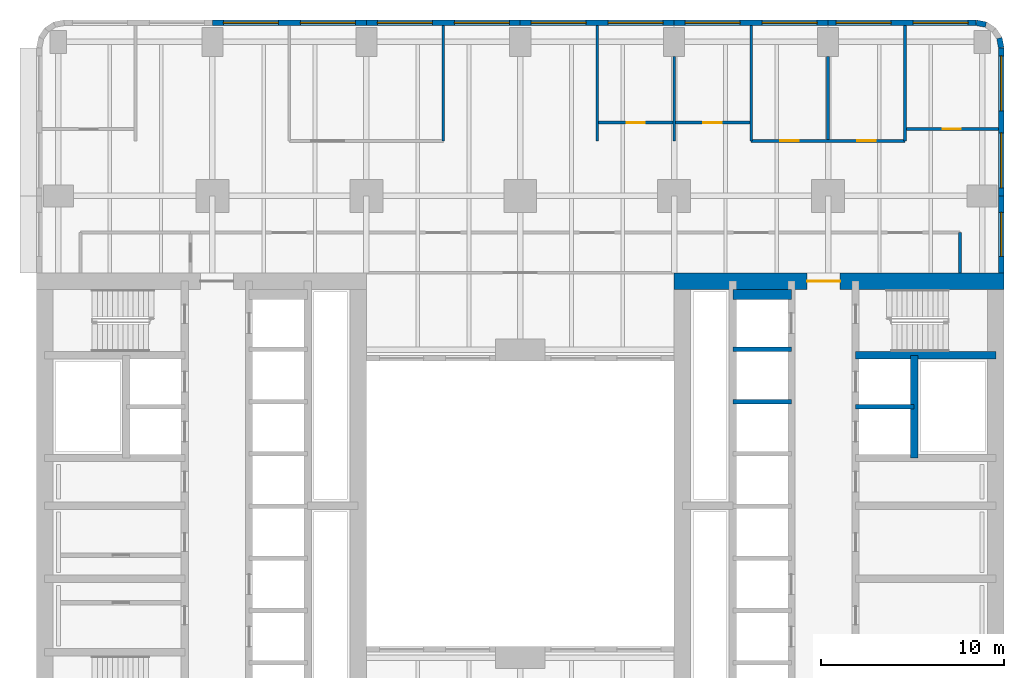
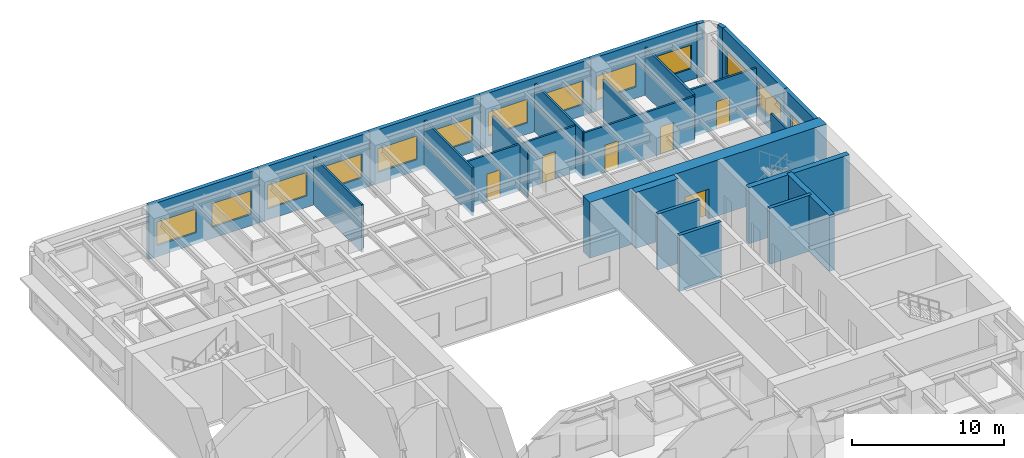
# One storey, part 7 of 14: 27 walls, 13 windows, 6 doors, 19 openings.
"""IFC4 building model written with IfcOpenShell, lengths in metres."""

import ifcopenshell
import ifcopenshell.guid

model = None  # the IFC model being written
_history = None  # IfcOwnerHistory: only IFC2X3 demands one
_inside = {}  # id of a spatial element -> (the spatial element, [elements in it])
_under = {}  # id of a project, library or spatial element -> (it, [spatial elements below it])
_declared = {}  # id of a project -> (the project, [libraries it declares])
_typed = {}  # id of a type object -> (the type object, [elements of that type])
_made_of = {}  # id of a material, layer set ... -> (it, [elements and type objects made of it])


def new_model(schema):
    """Start an empty IFC model of exactly this schema.

    Asked for "IFC4X3", IfcOpenShell would pick the latest addendum, in which some entities
    have other attributes; the version numbers below select the first issue.
    IFC2X3 requires an IfcOwnerHistory on every rooted entity: one is made here for all.
    """
    global model, _history
    if schema == "IFC4X3":
        model = ifcopenshell.file(schema_version=(4, 3, 0, 0))
    else:
        model = ifcopenshell.file(schema=schema)
    _inside.clear()
    _under.clear()
    _declared.clear()
    _typed.clear()
    _made_of.clear()
    _history = None
    if model.schema == "IFC2X3":
        org = make("IfcOrganization", Name="unknown")
        user = make(
            "IfcPersonAndOrganization",
            ThePerson=make("IfcPerson", FamilyName="unknown"),
            TheOrganization=org,
        )
        app = make(
            "IfcApplication",
            ApplicationDeveloper=org,
            Version="unknown",
            ApplicationFullName="unknown",
            ApplicationIdentifier="unknown",
        )
        _history = make(
            "IfcOwnerHistory",
            OwningUser=user,
            OwningApplication=app,
            ChangeAction="ADDED",
            CreationDate=0,
        )
    return model


def make(cls, **values):
    """One entity of the class cls with the attributes given. An attribute that is None is left unset."""
    return model.create_entity(
        cls, **{name: value for name, value in values.items() if value is not None}
    )


def rooted(cls, **values):
    """An entity with a GlobalId (a new one), such as an element, a storey or a relation."""
    return make(cls, GlobalId=ifcopenshell.guid.new(), OwnerHistory=_history, **values)


def si_unit(unit_type, name, prefix=None):
    """IfcSIUnit, for example si_unit("LENGTHUNIT", "METRE", prefix="MILLI")."""
    return make("IfcSIUnit", UnitType=unit_type, Prefix=prefix, Name=name)


def assignment(units):
    """IfcUnitAssignment: the units of a project."""
    return None if units is None else make("IfcUnitAssignment", Units=units)


def point(xyz):
    """IfcCartesianPoint."""
    return None if xyz is None else make("IfcCartesianPoint", Coordinates=xyz)


def direction(xyz):
    """IfcDirection."""
    return None if xyz is None else make("IfcDirection", DirectionRatios=xyz)


def frame(location, z_axis=None, x_axis=None):
    """IfcAxis2Placement3D, a coordinate frame: its origin and axes. An axis left out is left unset."""
    return make(
        "IfcAxis2Placement3D",
        Location=point(location),
        Axis=direction(z_axis),
        RefDirection=direction(x_axis),
    )


def frame_2d(location, x_axis=None):
    """IfcAxis2Placement2D, a coordinate frame in the plane: its origin and x axis."""
    return make(
        "IfcAxis2Placement2D", Location=point(location), RefDirection=direction(x_axis)
    )


def origin():
    """The frame at (0, 0, 0) with its axes left unset."""
    return frame((0.0, 0.0, 0.0))


def place(relative_to, where):
    """IfcLocalPlacement: puts the frame where relative to a parent placement (None: the world)."""
    return make(
        "IfcLocalPlacement", PlacementRelTo=relative_to, RelativePlacement=where
    )


def context(
    kind, dimensions, precision=None, world=None, true_north=None, identifier=None
):
    """IfcGeometricRepresentationContext, for example the 3D "Model" context."""
    return make(
        "IfcGeometricRepresentationContext",
        ContextIdentifier=identifier,
        ContextType=kind,
        CoordinateSpaceDimension=dimensions,
        Precision=precision,
        WorldCoordinateSystem=world,
        TrueNorth=true_north,
    )


def subcontext(parent, identifier, kind, view, scale=None):
    """IfcGeometricRepresentationSubContext, for example "Body" below "Model"."""
    return make(
        "IfcGeometricRepresentationSubContext",
        ContextIdentifier=identifier,
        ContextType=kind,
        ParentContext=parent,
        TargetScale=scale,
        TargetView=view,
    )


def project(units=None, contexts=None):
    """IfcProject with its units and contexts."""
    return rooted(
        "IfcProject",
        Name="project",
        RepresentationContexts=contexts,
        UnitsInContext=assignment(units),
    )


def spatial(cls, under=None, at=None, **own):
    """A site, building, storey or space (cls), placed at a placement, below another one or the project."""
    s = rooted(cls, ObjectPlacement=at, **own)
    if under is not None:
        _under.setdefault(under.id(), (under, []))[1].append(s)
    return s


def profile(cls, at=None, kind="AREA", **sizes):
    """A parametric profile (cls). Its sizes go by their IFC names, for example OverallWidth=200.0."""
    return make(cls, ProfileType=kind, Position=at, **sizes)


def rectangle(**sizes):
    """IfcRectangleProfileDef."""
    return profile("IfcRectangleProfileDef", **sizes)


def extrude(swept, where, along, depth):
    """IfcExtrudedAreaSolid: the profile swept, set in the frame where, extruded along a direction by depth."""
    return make(
        "IfcExtrudedAreaSolid",
        SweptArea=swept,
        Position=where,
        ExtrudedDirection=direction(along),
        Depth=depth,
    )


def shape(context_of_items, identifier, shape_type, items):
    """IfcShapeRepresentation: the items that make up one representation, for example the "Body"."""
    return make(
        "IfcShapeRepresentation",
        ContextOfItems=context_of_items,
        RepresentationIdentifier=identifier,
        RepresentationType=shape_type,
        Items=items,
    )


def material(Name=None, Category=None):
    """IfcMaterial."""
    return make("IfcMaterial", Name=Name, Category=Category)


def layer(
    of_material, thickness, ventilated=None, Name=None, Category=None, Priority=None
):
    """IfcMaterialLayer: one layer of a wall or slab, of a material (None: an air gap)."""
    return make(
        "IfcMaterialLayer",
        Material=of_material,
        LayerThickness=thickness,
        IsVentilated=ventilated,
        Name=Name,
        Category=Category,
        Priority=Priority,
    )


def layer_set(layers, Name=None):
    """IfcMaterialLayerSet."""
    return make("IfcMaterialLayerSet", MaterialLayers=layers, LayerSetName=Name)


def made_of(thing, what):
    """Note that an element or type object is made of a material, layer set ...; save() writes the relation."""
    if what is not None:
        _made_of.setdefault(what.id(), (what, []))[1].append(thing)
    return thing


def type_object(cls, material=None, **own):
    """A type object (cls), such as IfcWallType, which elements share."""
    return made_of(rooted(cls, **own), material)


def element(
    cls,
    number,
    at=None,
    inside=None,
    cuts=None,
    type_object=None,
    material=None,
    context=None,
    identifier="Body",
    shape_type=None,
    held_by="IfcProductDefinitionShape",
    body=None,
    shapes=None,
    **own,
):
    """One element of the class cls, such as IfcWall. Its Tag is "e" and its number.

    at: its placement. inside: the storey or other place that contains it. cuts: it is an
    opening in that element (IfcRelVoidsElement). A single representation is given by context,
    identifier, shape_type and body (its items); several are given by shapes. held_by: the class
    of the entity that holds the representations. save() writes the other relations.
    """
    e = rooted(cls, Tag="e%d" % number, ObjectPlacement=at, **own)
    if body is not None:
        shapes = [shape(context, identifier, shape_type, body)]
    if shapes is not None:
        e.Representation = make(held_by, Representations=shapes)
    if inside is not None:
        _inside.setdefault(inside.id(), (inside, []))[1].append(e)
    if cuts is not None:
        rooted(
            "IfcRelVoidsElement", RelatingBuildingElement=cuts, RelatedOpeningElement=e
        )
    if type_object is not None:
        _typed.setdefault(type_object.id(), (type_object, []))[1].append(e)
    return made_of(e, material)


def fill(opening, filler):
    """IfcRelFillsElement: the door or window that sits in an opening."""
    return rooted(
        "IfcRelFillsElement",
        RelatingOpeningElement=opening,
        RelatedBuildingElement=filler,
    )


def aggregate(whole, parts):
    """IfcRelAggregates: a whole, such as a stair, and the parts it consists of."""
    return rooted("IfcRelAggregates", RelatingObject=whole, RelatedObjects=parts)


def save(model, path):
    """Write the relations noted so far, then the file.

    IfcRelAggregates (storeys below a building ...), IfcRelContainedInSpatialStructure (elements
    in a storey), IfcRelDefinesByType, IfcRelAssociatesMaterial and IfcRelDeclares: one each for
    every whole, place, type object, material and project.
    """
    for whole, parts in _under.values():
        aggregate(whole, parts)
    for where, things in _inside.values():
        rooted(
            "IfcRelContainedInSpatialStructure",
            RelatedElements=things,
            RelatingStructure=where,
        )
    for kind, things in _typed.values():
        rooted("IfcRelDefinesByType", RelatedObjects=things, RelatingType=kind)
    for what, things in _made_of.values():
        rooted("IfcRelAssociatesMaterial", RelatedObjects=things, RelatingMaterial=what)
    for by, libraries in _declared.values():
        rooted("IfcRelDeclares", RelatingContext=by, RelatedDefinitions=libraries)
    model.write(path)


model = new_model("IFC4")

# Units and contexts
model_context = context("Model", 3, precision=1e-05, world=origin(), true_north=direction((0.0, 1.0)))
body_context = subcontext(model_context, "Body", "Model", "MODEL_VIEW")
ifc_project = project(units=[si_unit("LENGTHUNIT", "METRE"), si_unit("AREAUNIT", "SQUARE_METRE"), si_unit("VOLUMEUNIT", "CUBIC_METRE"), si_unit("PLANEANGLEUNIT", "RADIAN"), si_unit("MASSUNIT", "GRAM", prefix="KILO")], contexts=[model_context])

# Site, building, storey
site_placement = place(None, origin())
site = spatial("IfcSite", under=ifc_project, at=site_placement, CompositionType="ELEMENT")
building_placement = place(site_placement, origin())
building = spatial("IfcBuilding", under=site, at=building_placement, Name="Claustro Exchange Tower", CompositionType="ELEMENT")
storey_placement = place(building_placement, frame((0.0, 0.0, 32.39990234375)))
storey = spatial("IfcBuildingStorey", under=building, at=storey_placement, Name="L07", CompositionType="ELEMENT", Elevation=32.39990234375)

# Wall
ifc_material_1 = material(Name="Gypsum board on steel studs", Category="steel")
ifc_layer_1 = layer(ifc_material_1, 0.14990234375)
ifc_layer_set_1 = layer_set([ifc_layer_1], Name="Gypsum board on steel studs")
wall_type_1 = type_object("IfcWallType", Name="P1 150 plasterboard partition", PredefinedType="PARTITIONING", material=ifc_layer_set_1)
wall_1_placement = place(storey_placement, frame((21.0, 45.0, 0.0), z_axis=(0.0, 0.0, 1.0), x_axis=(0.0, 1.0, 0.0)))
element("IfcWall", 1, at=wall_1_placement, inside=storey, type_object=wall_type_1, Name="Partition P1 L07", PredefinedType="PARTITIONING", context=body_context, shape_type="SweptSolid", body=[
    extrude(rectangle(XDim=6.302001953125, YDim=0.14990234375, at=frame_2d((3.15087890625, 0.0))), origin(), (0.0, 0.0, 1.0), 3.840087890625),
])

# Wall, opening, door
wall_2_placement = place(storey_placement, frame((29.47412109375, 46.0, 0.0), z_axis=(0.0, 0.0, 1.0), x_axis=(1.0, 0.0, 0.0)))
wall_2 = element("IfcWall", 2, at=wall_2_placement, inside=storey, type_object=wall_type_1, Name="Partition P1 L07", PredefinedType="PARTITIONING", context=body_context, shape_type="SweptSolid", body=[
    extrude(rectangle(XDim=4.0517578125, YDim=0.14990234375, at=frame_2d((2.02587890625, 0.0))), origin(), (0.0, 0.0, 1.0), 3.739990234375),
])
opening_1_placement = place(wall_2_placement, frame((1.52587890625, 0.0, 0.0)))
opening_1 = element("IfcOpeningElement", 3, at=opening_1_placement, cuts=wall_2, Name="Opening D1", PredefinedType="OPENING", context=body_context, shape_type="SweptSolid", body=[
    extrude(rectangle(XDim=1.0, YDim=2.199951171875, at=frame_2d((0.5, 1.10009765625))), frame((0.0, 0.0849609375, 0.0), z_axis=(0.0, -1.0, 0.0), x_axis=(1.0, 0.0, 0.0)), (0.0, 0.0, 1.0), 0.169921875),
])
ifc_material_2 = material(Name="Timber door, oak veneer", Category="wood")
door_type_1 = type_object("IfcDoorType", Name="D1 1000 x 2200 single door", OperationType="SINGLE_SWING_LEFT", PredefinedType="DOOR", material=ifc_material_2)
door_1_placement = place(opening_1_placement, origin())
door_1 = element("IfcDoor", 4, at=door_1_placement, inside=storey, type_object=door_type_1, Name="Door D1 L07", OperationType="SINGLE_SWING_RIGHT", OverallHeight=2.199951171875, OverallWidth=1.0, PredefinedType="DOOR", context=body_context, shape_type="SweptSolid", body=[
    extrude(rectangle(XDim=1.0, YDim=2.199951171875, at=frame_2d((0.5, 1.10009765625))), frame((0.0, 0.02490234375, 0.0), z_axis=(0.0, -1.0, 0.0), x_axis=(1.0, 0.0, 0.0)), (0.0, 0.0, 1.0), 0.050048828125),
])
fill(opening_1, door_1)

wall_3_placement = place(storey_placement, frame((33.674072265625, 46.0, 0.0), z_axis=(0.0, 0.0, 1.0), x_axis=(1.0, 0.0, 0.0)))
wall_3 = element("IfcWall", 5, at=wall_3_placement, inside=storey, type_object=wall_type_1, Name="Partition P1 L07", PredefinedType="PARTITIONING", context=body_context, shape_type="SweptSolid", body=[
    extrude(rectangle(XDim=4.052001953125, YDim=0.14990234375, at=frame_2d((2.02587890625, 0.0))), origin(), (0.0, 0.0, 1.0), 3.739990234375),
])
opening_2_placement = place(wall_3_placement, frame((1.52587890625, 0.0, 0.0)))
opening_2 = element("IfcOpeningElement", 6, at=opening_2_placement, cuts=wall_3, Name="Opening D1", PredefinedType="OPENING", context=body_context, shape_type="SweptSolid", body=[
    extrude(rectangle(XDim=1.0, YDim=2.199951171875, at=frame_2d((0.5, 1.10009765625))), frame((0.0, 0.0849609375, 0.0), z_axis=(0.0, -1.0, 0.0), x_axis=(1.0, 0.0, 0.0)), (0.0, 0.0, 1.0), 0.169921875),
])
door_2_placement = place(opening_2_placement, origin())
door_2 = element("IfcDoor", 7, at=door_2_placement, inside=storey, type_object=door_type_1, Name="Door D1 L07", OperationType="SINGLE_SWING_RIGHT", OverallHeight=2.199951171875, OverallWidth=1.0, PredefinedType="DOOR", context=body_context, shape_type="SweptSolid", body=[
    extrude(rectangle(XDim=1.0, YDim=2.199951171875, at=frame_2d((0.5, 1.10009765625))), frame((0.0, 0.02490234375, 0.0), z_axis=(0.0, -1.0, 0.0), x_axis=(1.0, 0.0, 0.0)), (0.0, 0.0, 1.0), 0.050048828125),
])
fill(opening_2, door_2)

wall_4_placement = place(storey_placement, frame((46.27392578125, 45.64990234375, 0.0), z_axis=(0.0, 0.0, 1.0), x_axis=(1.0, 0.0, 0.0)))
wall_4 = element("IfcWall", 8, at=wall_4_placement, inside=storey, type_object=wall_type_1, Name="Partition P1 L07", PredefinedType="PARTITIONING", context=body_context, shape_type="SweptSolid", body=[
    extrude(rectangle(XDim=5.028076171875, YDim=0.14990234375, at=frame_2d((2.51416015625, 0.0))), origin(), (0.0, 0.0, 1.0), 3.840087890625),
])
opening_3_placement = place(wall_4_placement, frame((1.97607421875, 0.0, 0.0)))
opening_3 = element("IfcOpeningElement", 9, at=opening_3_placement, cuts=wall_4, Name="Opening D1", PredefinedType="OPENING", context=body_context, shape_type="SweptSolid", body=[
    extrude(rectangle(XDim=1.0, YDim=2.199951171875, at=frame_2d((0.5, 1.10009765625))), frame((0.0, 0.0849609375, 0.0), z_axis=(0.0, -1.0, 0.0), x_axis=(1.0, 0.0, 0.0)), (0.0, 0.0, 1.0), 0.169921875),
])
door_3_placement = place(opening_3_placement, origin())
door_3 = element("IfcDoor", 10, at=door_3_placement, inside=storey, type_object=door_type_1, Name="Door D1 L07", OperationType="SINGLE_SWING_LEFT", OverallHeight=2.199951171875, OverallWidth=1.0, PredefinedType="DOOR", context=body_context, shape_type="SweptSolid", body=[
    extrude(rectangle(XDim=1.0, YDim=2.199951171875, at=frame_2d((0.5, 1.10009765625))), frame((0.0, 0.02490234375, 0.0), z_axis=(0.0, -1.0, 0.0), x_axis=(1.0, 0.0, 0.0)), (0.0, 0.0, 1.0), 0.050048828125),
])
fill(opening_3, door_3)

# Wall, openings, doors
wall_5_placement = place(storey_placement, frame((37.800048828125, 45.0, 0.0), z_axis=(0.0, 0.0, 1.0), x_axis=(1.0, 0.0, 0.0)))
wall_5 = element("IfcWall", 11, at=wall_5_placement, inside=storey, type_object=wall_type_1, Name="Partition P1 L07", PredefinedType="PARTITIONING", context=body_context, shape_type="SweptSolid", body=[
    extrude(rectangle(XDim=8.39990234375, YDim=0.14990234375, at=frame_2d((4.199951171875, 0.0))), origin(), (0.0, 0.0, 1.0), 3.739990234375),
])
opening_4_placement = place(wall_5_placement, frame((1.60009765625, 0.0, 0.0)))
opening_4 = element("IfcOpeningElement", 12, at=opening_4_placement, cuts=wall_5, Name="Opening D1", PredefinedType="OPENING", context=body_context, shape_type="SweptSolid", body=[
    extrude(rectangle(XDim=1.0, YDim=2.199951171875, at=frame_2d((0.5, 1.10009765625))), frame((0.0, 0.0849609375, 0.0), z_axis=(0.0, -1.0, 0.0), x_axis=(1.0, 0.0, 0.0)), (0.0, 0.0, 1.0), 0.169921875),
])
opening_5_placement = place(wall_5_placement, frame((5.800048828125, 0.0, 0.0)))
opening_5 = element("IfcOpeningElement", 13, at=opening_5_placement, cuts=wall_5, Name="Opening D1", PredefinedType="OPENING", context=body_context, shape_type="SweptSolid", body=[
    extrude(rectangle(XDim=1.0, YDim=2.199951171875, at=frame_2d((0.5, 1.10009765625))), frame((0.0, 0.0849609375, 0.0), z_axis=(0.0, -1.0, 0.0), x_axis=(1.0, 0.0, 0.0)), (0.0, 0.0, 1.0), 0.169921875),
])
door_4_placement = place(opening_4_placement, origin())
door_4 = element("IfcDoor", 14, at=door_4_placement, inside=storey, type_object=door_type_1, Name="Door D1 L07", OperationType="SINGLE_SWING_LEFT", OverallHeight=2.199951171875, OverallWidth=1.0, PredefinedType="DOOR", context=body_context, shape_type="SweptSolid", body=[
    extrude(rectangle(XDim=1.0, YDim=2.199951171875, at=frame_2d((0.5, 1.10009765625))), frame((0.0, 0.02490234375, 0.0), z_axis=(0.0, -1.0, 0.0), x_axis=(1.0, 0.0, 0.0)), (0.0, 0.0, 1.0), 0.050048828125),
])
fill(opening_4, door_4)
door_5_placement = place(opening_5_placement, origin())
door_5 = element("IfcDoor", 15, at=door_5_placement, inside=storey, type_object=door_type_1, Name="Door D1 L07", OperationType="SINGLE_SWING_LEFT", OverallHeight=2.199951171875, OverallWidth=1.0, PredefinedType="DOOR", context=body_context, shape_type="SweptSolid", body=[
    extrude(rectangle(XDim=1.0, YDim=2.199951171875, at=frame_2d((0.5, 1.10009765625))), frame((0.0, 0.02490234375, 0.0), z_axis=(0.0, -1.0, 0.0), x_axis=(1.0, 0.0, 0.0)), (0.0, 0.0, 1.0), 0.050048828125),
])
fill(opening_5, door_5)

# Walls
wall_6_placement = place(storey_placement, frame((29.39990234375, 45.0, 0.0), z_axis=(0.0, 0.0, 1.0), x_axis=(0.0, 1.0, 0.0)))
element("IfcWall", 16, at=wall_6_placement, inside=storey, type_object=wall_type_1, Name="Partition P1 L07", PredefinedType="PARTITIONING", context=body_context, shape_type="SweptSolid", body=[
    extrude(rectangle(XDim=6.302001953125, YDim=0.14990234375, at=frame_2d((3.15087890625, 0.0))), origin(), (0.0, 0.0, 1.0), 3.840087890625),
])
wall_7_placement = place(storey_placement, frame((33.60009765625, 45.0, 0.0), z_axis=(0.0, 0.0, 1.0), x_axis=(0.0, 1.0, 0.0)))
element("IfcWall", 17, at=wall_7_placement, inside=storey, type_object=wall_type_1, Name="Partition P1 L07", PredefinedType="PARTITIONING", context=body_context, shape_type="SweptSolid", body=[
    extrude(rectangle(XDim=4.60107421875, YDim=0.14990234375, at=frame_2d((2.300537109375, 0.0))), origin(), (0.0, 0.0, 1.0), 3.739990234375),
])
wall_8_placement = place(storey_placement, frame((37.800048828125, 45.0, 0.0), z_axis=(0.0, 0.0, 1.0), x_axis=(0.0, 1.0, 0.0)))
element("IfcWall", 18, at=wall_8_placement, inside=storey, type_object=wall_type_1, Name="Partition P1 L07", PredefinedType="PARTITIONING", context=body_context, shape_type="SweptSolid", body=[
    extrude(rectangle(XDim=6.302001953125, YDim=0.14990234375, at=frame_2d((3.15087890625, 0.0))), origin(), (0.0, 0.0, 1.0), 3.840087890625),
])
wall_9_placement = place(storey_placement, frame((42.0, 45.073974609375, 0.0), z_axis=(0.0, 0.0, 1.0), x_axis=(0.0, 1.0, 0.0)))
element("IfcWall", 19, at=wall_9_placement, inside=storey, type_object=wall_type_1, Name="Partition P1 L07", PredefinedType="PARTITIONING", context=body_context, shape_type="SweptSolid", body=[
    extrude(rectangle(XDim=4.527099609375, YDim=0.14990234375, at=frame_2d((2.263671875, 0.0))), origin(), (0.0, 0.0, 1.0), 3.739990234375),
])
wall_10_placement = place(storey_placement, frame((46.199951171875, 45.0, 0.0), z_axis=(0.0, 0.0, 1.0), x_axis=(0.0, 1.0, 0.0)))
element("IfcWall", 20, at=wall_10_placement, inside=storey, type_object=wall_type_1, Name="Partition P1 L07", PredefinedType="PARTITIONING", context=body_context, shape_type="SweptSolid", body=[
    extrude(rectangle(XDim=6.302001953125, YDim=0.14990234375, at=frame_2d((3.15087890625, 0.0))), origin(), (0.0, 0.0, 1.0), 3.840087890625),
])
wall_11_placement = place(storey_placement, frame((49.199951171875, 37.800048828125, 0.0), z_axis=(0.0, 0.0, 1.0), x_axis=(0.0, 1.0, 0.0)))
element("IfcWall", 21, at=wall_11_placement, inside=storey, type_object=wall_type_1, Name="Partition P1 L07", PredefinedType="PARTITIONING", context=body_context, shape_type="SweptSolid", body=[
    extrude(rectangle(XDim=2.199951171875, YDim=0.14990234375, at=frame_2d((1.10009765625, 0.0))), origin(), (0.0, 0.0, 1.0), 4.340087890625),
])

# Wall, openings, windows
ifc_material_3 = material(Name="Concrete HA-40 (C40/50), precast, white cement, acid-etched", Category="concrete")
ifc_layer_2 = layer(ifc_material_3, 0.300048828125)
ifc_layer_set_2 = layer_set([ifc_layer_2], Name="Concrete HA-40 (C40/50), precast, white cement, acid-etched")
wall_type_2 = type_object("IfcWallType", Name="PC1 300 precast concrete pier panel", PredefinedType="SOLIDWALL", material=ifc_layer_set_2)
wall_12_placement = place(storey_placement, frame((8.39990234375, 51.449951171875, 0.0), z_axis=(0.0, 0.0, 1.0), x_axis=(1.0, 0.0, 0.0)))
wall_12 = element("IfcWall", 22, at=wall_12_placement, inside=storey, type_object=wall_type_2, Name="Precast pier panel PC1 L07", PredefinedType="SOLIDWALL", context=body_context, shape_type="SweptSolid", body=[
    extrude(rectangle(XDim=8.400146484375, YDim=0.300048828125, at=frame_2d((4.2001953125, 0.0))), origin(), (0.0, 0.0, 1.0), 4.340087890625),
])
opening_6_placement = place(wall_12_placement, frame((0.60009765625, 0.0, 0.89990234375)))
opening_6 = element("IfcOpeningElement", 23, at=opening_6_placement, cuts=wall_12, Name="Opening W1", PredefinedType="OPENING", context=body_context, shape_type="SweptSolid", body=[
    extrude(rectangle(XDim=3.0, YDim=1.89990234375, at=frame_2d((1.5, 0.949951171875))), frame((0.0, 0.159912109375, 0.0), z_axis=(0.0, -1.0, 0.0), x_axis=(1.0, 0.0, 0.0)), (0.0, 0.0, 1.0), 0.320068359375),
])
opening_7_placement = place(wall_12_placement, frame((4.800048828125, 0.0, 0.89990234375)))
opening_7 = element("IfcOpeningElement", 24, at=opening_7_placement, cuts=wall_12, Name="Opening W1", PredefinedType="OPENING", context=body_context, shape_type="SweptSolid", body=[
    extrude(rectangle(XDim=3.0, YDim=1.89990234375, at=frame_2d((1.5, 0.949951171875))), frame((0.0, 0.159912109375, 0.0), z_axis=(0.0, -1.0, 0.0), x_axis=(1.0, 0.0, 0.0)), (0.0, 0.0, 1.0), 0.320068359375),
])
ifc_material_4 = material(Name="Aluminium frame, clear double glazing", Category="aluminium")
window_type_1 = type_object("IfcWindowType", Name="W1 3000 x 1900 window", PartitioningType="SINGLE_PANEL", PredefinedType="WINDOW", material=ifc_material_4)
window_1_placement = place(opening_6_placement, origin())
window_1 = element("IfcWindow", 25, at=window_1_placement, inside=storey, type_object=window_type_1, Name="Window W1 L07", OverallHeight=1.89990234375, OverallWidth=3.0, PartitioningType="SINGLE_PANEL", PredefinedType="WINDOW", context=body_context, shape_type="SweptSolid", body=[
    extrude(rectangle(XDim=3.0, YDim=1.89990234375, at=frame_2d((1.5, 0.949951171875))), frame((0.0, 0.030029296875, 0.0), z_axis=(0.0, -1.0, 0.0), x_axis=(1.0, 0.0, 0.0)), (0.0, 0.0, 1.0), 0.06005859375),
])
fill(opening_6, window_1)
window_2_placement = place(opening_7_placement, origin())
window_2 = element("IfcWindow", 26, at=window_2_placement, inside=storey, type_object=window_type_1, Name="Window W1 L07", OverallHeight=1.89990234375, OverallWidth=3.0, PartitioningType="SINGLE_PANEL", PredefinedType="WINDOW", context=body_context, shape_type="SweptSolid", body=[
    extrude(rectangle(XDim=3.0, YDim=1.89990234375, at=frame_2d((1.5, 0.949951171875))), frame((0.0, 0.030029296875, 0.0), z_axis=(0.0, -1.0, 0.0), x_axis=(1.0, 0.0, 0.0)), (0.0, 0.0, 1.0), 0.06005859375),
])
fill(opening_7, window_2)

wall_13_placement = place(storey_placement, frame((16.800048828125, 51.449951171875, 0.0), z_axis=(0.0, 0.0, 1.0), x_axis=(1.0, 0.0, 0.0)))
wall_13 = element("IfcWall", 27, at=wall_13_placement, inside=storey, type_object=wall_type_2, Name="Precast pier panel PC1 L07", PredefinedType="SOLIDWALL", context=body_context, shape_type="SweptSolid", body=[
    extrude(rectangle(XDim=8.39990234375, YDim=0.300048828125, at=frame_2d((4.199951171875, 0.0))), origin(), (0.0, 0.0, 1.0), 4.340087890625),
])
opening_8_placement = place(wall_13_placement, frame((0.60009765625, 0.0, 0.89990234375)))
opening_8 = element("IfcOpeningElement", 28, at=opening_8_placement, cuts=wall_13, Name="Opening W1", PredefinedType="OPENING", context=body_context, shape_type="SweptSolid", body=[
    extrude(rectangle(XDim=3.0, YDim=1.89990234375, at=frame_2d((1.5, 0.949951171875))), frame((0.0, 0.159912109375, 0.0), z_axis=(0.0, -1.0, 0.0), x_axis=(1.0, 0.0, 0.0)), (0.0, 0.0, 1.0), 0.320068359375),
])
opening_9_placement = place(wall_13_placement, frame((4.800048828125, 0.0, 0.89990234375)))
opening_9 = element("IfcOpeningElement", 29, at=opening_9_placement, cuts=wall_13, Name="Opening W1", PredefinedType="OPENING", context=body_context, shape_type="SweptSolid", body=[
    extrude(rectangle(XDim=3.0, YDim=1.89990234375, at=frame_2d((1.5, 0.949951171875))), frame((0.0, 0.159912109375, 0.0), z_axis=(0.0, -1.0, 0.0), x_axis=(1.0, 0.0, 0.0)), (0.0, 0.0, 1.0), 0.320068359375),
])
window_3_placement = place(opening_8_placement, origin())
window_3 = element("IfcWindow", 30, at=window_3_placement, inside=storey, type_object=window_type_1, Name="Window W1 L07", OverallHeight=1.89990234375, OverallWidth=3.0, PartitioningType="SINGLE_PANEL", PredefinedType="WINDOW", context=body_context, shape_type="SweptSolid", body=[
    extrude(rectangle(XDim=3.0, YDim=1.89990234375, at=frame_2d((1.5, 0.949951171875))), frame((0.0, 0.030029296875, 0.0), z_axis=(0.0, -1.0, 0.0), x_axis=(1.0, 0.0, 0.0)), (0.0, 0.0, 1.0), 0.06005859375),
])
fill(opening_8, window_3)
window_4_placement = place(opening_9_placement, origin())
window_4 = element("IfcWindow", 31, at=window_4_placement, inside=storey, type_object=window_type_1, Name="Window W1 L07", OverallHeight=1.89990234375, OverallWidth=3.0, PartitioningType="SINGLE_PANEL", PredefinedType="WINDOW", context=body_context, shape_type="SweptSolid", body=[
    extrude(rectangle(XDim=3.0, YDim=1.89990234375, at=frame_2d((1.5, 0.949951171875))), frame((0.0, 0.030029296875, 0.0), z_axis=(0.0, -1.0, 0.0), x_axis=(1.0, 0.0, 0.0)), (0.0, 0.0, 1.0), 0.06005859375),
])
fill(opening_9, window_4)

wall_14_placement = place(storey_placement, frame((25.199951171875, 51.449951171875, 0.0), z_axis=(0.0, 0.0, 1.0), x_axis=(1.0, 0.0, 0.0)))
wall_14 = element("IfcWall", 32, at=wall_14_placement, inside=storey, type_object=wall_type_2, Name="Precast pier panel PC1 L07", PredefinedType="SOLIDWALL", context=body_context, shape_type="SweptSolid", body=[
    extrude(rectangle(XDim=8.400146484375, YDim=0.300048828125, at=frame_2d((4.2001953125, 0.0))), origin(), (0.0, 0.0, 1.0), 4.340087890625),
])
opening_10_placement = place(wall_14_placement, frame((0.60009765625, 0.0, 0.89990234375)))
opening_10 = element("IfcOpeningElement", 33, at=opening_10_placement, cuts=wall_14, Name="Opening W1", PredefinedType="OPENING", context=body_context, shape_type="SweptSolid", body=[
    extrude(rectangle(XDim=3.0, YDim=1.89990234375, at=frame_2d((1.5, 0.949951171875))), frame((0.0, 0.159912109375, 0.0), z_axis=(0.0, -1.0, 0.0), x_axis=(1.0, 0.0, 0.0)), (0.0, 0.0, 1.0), 0.320068359375),
])
opening_11_placement = place(wall_14_placement, frame((4.800048828125, 0.0, 0.89990234375)))
opening_11 = element("IfcOpeningElement", 34, at=opening_11_placement, cuts=wall_14, Name="Opening W1", PredefinedType="OPENING", context=body_context, shape_type="SweptSolid", body=[
    extrude(rectangle(XDim=3.0, YDim=1.89990234375, at=frame_2d((1.5, 0.949951171875))), frame((0.0, 0.159912109375, 0.0), z_axis=(0.0, -1.0, 0.0), x_axis=(1.0, 0.0, 0.0)), (0.0, 0.0, 1.0), 0.320068359375),
])
window_5_placement = place(opening_10_placement, origin())
window_5 = element("IfcWindow", 35, at=window_5_placement, inside=storey, type_object=window_type_1, Name="Window W1 L07", OverallHeight=1.89990234375, OverallWidth=3.0, PartitioningType="SINGLE_PANEL", PredefinedType="WINDOW", context=body_context, shape_type="SweptSolid", body=[
    extrude(rectangle(XDim=3.0, YDim=1.89990234375, at=frame_2d((1.5, 0.949951171875))), frame((0.0, 0.030029296875, 0.0), z_axis=(0.0, -1.0, 0.0), x_axis=(1.0, 0.0, 0.0)), (0.0, 0.0, 1.0), 0.06005859375),
])
fill(opening_10, window_5)
window_6_placement = place(opening_11_placement, origin())
window_6 = element("IfcWindow", 36, at=window_6_placement, inside=storey, type_object=window_type_1, Name="Window W1 L07", OverallHeight=1.89990234375, OverallWidth=3.0, PartitioningType="SINGLE_PANEL", PredefinedType="WINDOW", context=body_context, shape_type="SweptSolid", body=[
    extrude(rectangle(XDim=3.0, YDim=1.89990234375, at=frame_2d((1.5, 0.949951171875))), frame((0.0, 0.030029296875, 0.0), z_axis=(0.0, -1.0, 0.0), x_axis=(1.0, 0.0, 0.0)), (0.0, 0.0, 1.0), 0.06005859375),
])
fill(opening_11, window_6)

wall_15_placement = place(storey_placement, frame((33.60009765625, 51.449951171875, 0.0), z_axis=(0.0, 0.0, 1.0), x_axis=(1.0, 0.0, 0.0)))
wall_15 = element("IfcWall", 37, at=wall_15_placement, inside=storey, type_object=wall_type_2, Name="Precast pier panel PC1 L07", PredefinedType="SOLIDWALL", context=body_context, shape_type="SweptSolid", body=[
    extrude(rectangle(XDim=8.39990234375, YDim=0.300048828125, at=frame_2d((4.199951171875, 0.0))), origin(), (0.0, 0.0, 1.0), 4.340087890625),
])
opening_12_placement = place(wall_15_placement, frame((0.60009765625, 0.0, 0.89990234375)))
opening_12 = element("IfcOpeningElement", 38, at=opening_12_placement, cuts=wall_15, Name="Opening W1", PredefinedType="OPENING", context=body_context, shape_type="SweptSolid", body=[
    extrude(rectangle(XDim=3.0, YDim=1.89990234375, at=frame_2d((1.5, 0.949951171875))), frame((0.0, 0.159912109375, 0.0), z_axis=(0.0, -1.0, 0.0), x_axis=(1.0, 0.0, 0.0)), (0.0, 0.0, 1.0), 0.320068359375),
])
opening_13_placement = place(wall_15_placement, frame((4.800048828125, 0.0, 0.89990234375)))
opening_13 = element("IfcOpeningElement", 39, at=opening_13_placement, cuts=wall_15, Name="Opening W1", PredefinedType="OPENING", context=body_context, shape_type="SweptSolid", body=[
    extrude(rectangle(XDim=3.0, YDim=1.89990234375, at=frame_2d((1.5, 0.949951171875))), frame((0.0, 0.159912109375, 0.0), z_axis=(0.0, -1.0, 0.0), x_axis=(1.0, 0.0, 0.0)), (0.0, 0.0, 1.0), 0.320068359375),
])
window_7_placement = place(opening_12_placement, origin())
window_7 = element("IfcWindow", 40, at=window_7_placement, inside=storey, type_object=window_type_1, Name="Window W1 L07", OverallHeight=1.89990234375, OverallWidth=3.0, PartitioningType="SINGLE_PANEL", PredefinedType="WINDOW", context=body_context, shape_type="SweptSolid", body=[
    extrude(rectangle(XDim=3.0, YDim=1.89990234375, at=frame_2d((1.5, 0.949951171875))), frame((0.0, 0.030029296875, 0.0), z_axis=(0.0, -1.0, 0.0), x_axis=(1.0, 0.0, 0.0)), (0.0, 0.0, 1.0), 0.06005859375),
])
fill(opening_12, window_7)
window_8_placement = place(opening_13_placement, origin())
window_8 = element("IfcWindow", 41, at=window_8_placement, inside=storey, type_object=window_type_1, Name="Window W1 L07", OverallHeight=1.89990234375, OverallWidth=3.0, PartitioningType="SINGLE_PANEL", PredefinedType="WINDOW", context=body_context, shape_type="SweptSolid", body=[
    extrude(rectangle(XDim=3.0, YDim=1.89990234375, at=frame_2d((1.5, 0.949951171875))), frame((0.0, 0.030029296875, 0.0), z_axis=(0.0, -1.0, 0.0), x_axis=(1.0, 0.0, 0.0)), (0.0, 0.0, 1.0), 0.06005859375),
])
fill(opening_13, window_8)

wall_16_placement = place(storey_placement, frame((42.0, 51.449951171875, 0.0), z_axis=(0.0, 0.0, 1.0), x_axis=(1.0, 0.0, 0.0)))
wall_16 = element("IfcWall", 42, at=wall_16_placement, inside=storey, type_object=wall_type_2, Name="Precast pier panel PC1 L07", PredefinedType="SOLIDWALL", context=body_context, shape_type="SweptSolid", body=[
    extrude(rectangle(XDim=8.085205078125, YDim=0.300048828125, at=frame_2d((4.04248046875, 0.0))), origin(), (0.0, 0.0, 1.0), 4.340087890625),
])
opening_14_placement = place(wall_16_placement, frame((0.442626953125, 0.0, 0.89990234375)))
opening_14 = element("IfcOpeningElement", 43, at=opening_14_placement, cuts=wall_16, Name="Opening W1", PredefinedType="OPENING", context=body_context, shape_type="SweptSolid", body=[
    extrude(rectangle(XDim=3.0, YDim=1.89990234375, at=frame_2d((1.5, 0.949951171875))), frame((0.0, 0.159912109375, 0.0), z_axis=(0.0, -1.0, 0.0), x_axis=(1.0, 0.0, 0.0)), (0.0, 0.0, 1.0), 0.320068359375),
])
opening_15_placement = place(wall_16_placement, frame((4.642578125, 0.0, 0.89990234375)))
opening_15 = element("IfcOpeningElement", 44, at=opening_15_placement, cuts=wall_16, Name="Opening W1", PredefinedType="OPENING", context=body_context, shape_type="SweptSolid", body=[
    extrude(rectangle(XDim=3.0, YDim=1.89990234375, at=frame_2d((1.5, 0.949951171875))), frame((0.0, 0.159912109375, 0.0), z_axis=(0.0, -1.0, 0.0), x_axis=(1.0, 0.0, 0.0)), (0.0, 0.0, 1.0), 0.320068359375),
])
window_9_placement = place(opening_14_placement, origin())
window_9 = element("IfcWindow", 45, at=window_9_placement, inside=storey, type_object=window_type_1, Name="Window W1 L07", OverallHeight=1.89990234375, OverallWidth=3.0, PartitioningType="SINGLE_PANEL", PredefinedType="WINDOW", context=body_context, shape_type="SweptSolid", body=[
    extrude(rectangle(XDim=3.0, YDim=1.89990234375, at=frame_2d((1.5, 0.949951171875))), frame((0.0, 0.030029296875, 0.0), z_axis=(0.0, -1.0, 0.0), x_axis=(1.0, 0.0, 0.0)), (0.0, 0.0, 1.0), 0.06005859375),
])
fill(opening_14, window_9)
window_10_placement = place(opening_15_placement, origin())
window_10 = element("IfcWindow", 46, at=window_10_placement, inside=storey, type_object=window_type_1, Name="Window W1 L07", OverallHeight=1.89990234375, OverallWidth=3.0, PartitioningType="SINGLE_PANEL", PredefinedType="WINDOW", context=body_context, shape_type="SweptSolid", body=[
    extrude(rectangle(XDim=3.0, YDim=1.89990234375, at=frame_2d((1.5, 0.949951171875))), frame((0.0, 0.030029296875, 0.0), z_axis=(0.0, -1.0, 0.0), x_axis=(1.0, 0.0, 0.0)), (0.0, 0.0, 1.0), 0.06005859375),
])
fill(opening_15, window_10)

# Walls
for number, where, z_axis, x_axis, name in (
    (47, (50.085205078125, 51.449951171875, 0.0), (0.0, 0.0, 1.0), (0.980788534345, -0.195073962632, 0.0), "Precast pier panel PC1 L07"),
    (48, (51.344482421875, 50.615478515625, 0.0), (0.0, 0.0, 1.0), (0.195073962632, -0.980788534345, 0.0), "Precast pier panel PC1 L07"),
):
    element("IfcWall", number, at=place(storey_placement, frame(where, z_axis=z_axis, x_axis=x_axis)), inside=storey, type_object=wall_type_2, Name=name, PredefinedType="SOLIDWALL", context=body_context, shape_type="SweptSolid", body=[
        extrude(rectangle(XDim=0.540771484375, YDim=0.300048828125, at=frame_2d((0.2705078125, 0.0))), origin(), (0.0, 0.0, 1.0), 4.340087890625),
    ])

# Wall, openings, windows
wall_17_placement = place(storey_placement, frame((51.449951171875, 50.085205078125, 0.0), z_axis=(0.0, 0.0, 1.0), x_axis=(0.0, -1.0, 0.0)))
wall_17 = element("IfcWall", 49, at=wall_17_placement, inside=storey, type_object=wall_type_2, Name="Precast pier panel PC1 L07", PredefinedType="SOLIDWALL", context=body_context, shape_type="SweptSolid", body=[
    extrude(rectangle(XDim=8.085205078125, YDim=0.300048828125, at=frame_2d((4.04248046875, 0.0))), origin(), (0.0, 0.0, 1.0), 4.340087890625),
])
opening_16_placement = place(wall_17_placement, frame((0.442626953125, 0.0, 0.89990234375)))
opening_16 = element("IfcOpeningElement", 50, at=opening_16_placement, cuts=wall_17, Name="Opening W1", PredefinedType="OPENING", context=body_context, shape_type="SweptSolid", body=[
    extrude(rectangle(XDim=3.0, YDim=1.89990234375, at=frame_2d((1.5, 0.949951171875))), frame((0.0, 0.159912109375, 0.0), z_axis=(0.0, -1.0, 0.0), x_axis=(1.0, 0.0, 0.0)), (0.0, 0.0, 1.0), 0.320068359375),
])
opening_17_placement = place(wall_17_placement, frame((4.642578125, 0.0, 0.89990234375)))
opening_17 = element("IfcOpeningElement", 51, at=opening_17_placement, cuts=wall_17, Name="Opening W1", PredefinedType="OPENING", context=body_context, shape_type="SweptSolid", body=[
    extrude(rectangle(XDim=3.0, YDim=1.89990234375, at=frame_2d((1.5, 0.949951171875))), frame((0.0, 0.159912109375, 0.0), z_axis=(0.0, -1.0, 0.0), x_axis=(1.0, 0.0, 0.0)), (0.0, 0.0, 1.0), 0.320068359375),
])
window_11_placement = place(opening_16_placement, origin())
window_11 = element("IfcWindow", 52, at=window_11_placement, inside=storey, type_object=window_type_1, Name="Window W1 L07", OverallHeight=1.89990234375, OverallWidth=3.0, PartitioningType="SINGLE_PANEL", PredefinedType="WINDOW", context=body_context, shape_type="SweptSolid", body=[
    extrude(rectangle(XDim=3.0, YDim=1.89990234375, at=frame_2d((1.5, 0.949951171875))), frame((0.0, 0.030029296875, 0.0), z_axis=(0.0, -1.0, 0.0), x_axis=(1.0, 0.0, 0.0)), (0.0, 0.0, 1.0), 0.06005859375),
])
fill(opening_16, window_11)
window_12_placement = place(opening_17_placement, origin())
window_12 = element("IfcWindow", 53, at=window_12_placement, inside=storey, type_object=window_type_1, Name="Window W1 L07", OverallHeight=1.89990234375, OverallWidth=3.0, PartitioningType="SINGLE_PANEL", PredefinedType="WINDOW", context=body_context, shape_type="SweptSolid", body=[
    extrude(rectangle(XDim=3.0, YDim=1.89990234375, at=frame_2d((1.5, 0.949951171875))), frame((0.0, 0.030029296875, 0.0), z_axis=(0.0, -1.0, 0.0), x_axis=(1.0, 0.0, 0.0)), (0.0, 0.0, 1.0), 0.06005859375),
])
fill(opening_17, window_12)

# Wall, opening, window
wall_18_placement = place(storey_placement, frame((51.449951171875, 42.0, 0.0), z_axis=(0.0, 0.0, 1.0), x_axis=(0.0, -1.0, 0.0)))
wall_18 = element("IfcWall", 54, at=wall_18_placement, inside=storey, type_object=wall_type_2, Name="Precast pier panel PC1 L07", PredefinedType="SOLIDWALL", context=body_context, shape_type="SweptSolid", body=[
    extrude(rectangle(XDim=4.199951171875, YDim=0.300048828125, at=frame_2d((2.10009765625, 0.0))), origin(), (0.0, 0.0, 1.0), 4.340087890625),
])
opening_18_placement = place(wall_18_placement, frame((0.89990234375, 0.0, 0.89990234375)))
opening_18 = element("IfcOpeningElement", 55, at=opening_18_placement, cuts=wall_18, Name="Opening W2", PredefinedType="OPENING", context=body_context, shape_type="SweptSolid", body=[
    extrude(rectangle(XDim=2.39990234375, YDim=1.89990234375, at=frame_2d((1.199951171875, 0.949951171875))), frame((0.0, 0.159912109375, 0.0), z_axis=(0.0, -1.0, 0.0), x_axis=(1.0, 0.0, 0.0)), (0.0, 0.0, 1.0), 0.320068359375),
])
ifc_material_5 = material(Name="Aluminium frame, clear double glazing", Category="aluminium")
window_type_2 = type_object("IfcWindowType", Name="W2 2400 x 1900 window", PartitioningType="SINGLE_PANEL", PredefinedType="WINDOW", material=ifc_material_5)
window_13_placement = place(opening_18_placement, origin())
window_13 = element("IfcWindow", 56, at=window_13_placement, inside=storey, type_object=window_type_2, Name="Window W2 L07", OverallHeight=1.89990234375, OverallWidth=2.39990234375, PartitioningType="SINGLE_PANEL", PredefinedType="WINDOW", context=body_context, shape_type="SweptSolid", body=[
    extrude(rectangle(XDim=2.39990234375, YDim=1.89990234375, at=frame_2d((1.199951171875, 0.949951171875))), frame((0.0, 0.030029296875, 0.0), z_axis=(0.0, -1.0, 0.0), x_axis=(1.0, 0.0, 0.0)), (0.0, 0.0, 1.0), 0.06005859375),
])
fill(opening_18, window_13)

# Wall, opening, door
ifc_material_6 = material(Name="Concrete HA-70 (C70/85)", Category="concrete")
ifc_layer_3 = layer(ifc_material_6, 0.89990234375)
ifc_layer_set_3 = layer_set([ifc_layer_3], Name="Concrete HA-70 (C70/85)")
wall_type_3 = type_object("IfcWallType", Name="SW1 900 core shear wall", PredefinedType="SHEAR", material=ifc_layer_set_3)
wall_19_placement = place(storey_placement, frame((33.60009765625, 37.35009765625, 0.0), z_axis=(0.0, 0.0, 1.0), x_axis=(1.0, 0.0, 0.0)))
wall_19 = element("IfcWall", 57, at=wall_19_placement, inside=storey, type_object=wall_type_3, Name="Core wall SW1 E core N face L07", PredefinedType="SHEAR", context=body_context, shape_type="SweptSolid", body=[
    extrude(rectangle(XDim=18.0, YDim=0.89990234375, at=frame_2d((9.0, 0.0))), origin(), (0.0, 0.0, 1.0), 4.5),
])
opening_19_placement = place(wall_19_placement, frame((7.25, 0.0, 0.0)))
opening_19 = element("IfcOpeningElement", 58, at=opening_19_placement, cuts=wall_19, Name="Opening D3", PredefinedType="OPENING", context=body_context, shape_type="SweptSolid", body=[
    extrude(rectangle(XDim=1.800048828125, YDim=2.39990234375, at=frame_2d((0.89990234375, 1.199951171875))), frame((0.0, 0.4599609375, 0.0), z_axis=(0.0, -1.0, 0.0), x_axis=(1.0, 0.0, 0.0)), (0.0, 0.0, 1.0), 0.919921875),
])
ifc_material_7 = material(Name="Steel fire door, painted", Category="steel")
door_type_2 = type_object("IfcDoorType", Name="D3 1800 x 2400 fire-rated lobby double door", OperationType="DOUBLE_DOOR_SINGLE_SWING", PredefinedType="DOOR", material=ifc_material_7)
door_6_placement = place(opening_19_placement, frame((1.800048828125, 0.0, 0.0), z_axis=(0.0, 0.0, 1.0), x_axis=(-1.0, 0.0, 0.0)))
door_6 = element("IfcDoor", 59, at=door_6_placement, inside=storey, type_object=door_type_2, Name="Lift lobby door D3 L07", OperationType="DOUBLE_DOOR_SINGLE_SWING", OverallHeight=2.39990234375, OverallWidth=1.800048828125, PredefinedType="DOOR", context=body_context, shape_type="SweptSolid", body=[
    extrude(rectangle(XDim=1.800048828125, YDim=2.39990234375, at=frame_2d((0.89990234375, 1.199951171875))), frame((0.0, 0.02490234375, 0.0), z_axis=(0.0, -1.0, 0.0), x_axis=(1.0, 0.0, 0.0)), (0.0, 0.0, 1.0), 0.050048828125),
])
fill(opening_19, door_6)

# Walls
ifc_material_8 = material(Name="Concrete HA-50 (C50/60)", Category="concrete")
ifc_layer_4 = layer(ifc_material_8, 0.39990234375)
ifc_layer_set_4 = layer_set([ifc_layer_4], Name="Concrete HA-50 (C50/60)")
wall_type_4 = type_object("IfcWallType", Name="SW4 400 internal core wall", PredefinedType="SHEAR", material=ifc_layer_set_4)
wall_20_placement = place(storey_placement, frame((51.14990234375, 33.300048828125, 0.0), z_axis=(0.0, 0.0, 1.0), x_axis=(-1.0, 0.0, 0.0)))
element("IfcWall", 60, at=wall_20_placement, inside=storey, type_object=wall_type_4, Name="Internal core wall SW4 E core L07", PredefinedType="SHEAR", context=body_context, shape_type="SweptSolid", body=[
    extrude(rectangle(XDim=7.64990234375, YDim=0.39990234375, at=frame_2d((3.824951171875, 0.0))), origin(), (0.0, 0.0, 1.0), 4.5),
])
wall_21_placement = place(storey_placement, frame((46.699951171875, 27.699951171875, 0.0), z_axis=(0.0, 0.0, 1.0), x_axis=(0.0, 1.0, 0.0)))
element("IfcWall", 61, at=wall_21_placement, inside=storey, type_object=wall_type_4, Name="Internal core wall SW4 E core L07", PredefinedType="SHEAR", context=body_context, shape_type="SweptSolid", body=[
    extrude(rectangle(XDim=5.60009765625, YDim=0.39990234375, at=frame_2d((2.800048828125, 0.0))), origin(), (0.0, 0.0, 1.0), 4.5),
])
ifc_material_9 = material(Name="Concrete HA-50 (C50/60)", Category="concrete")
ifc_layer_5 = layer(ifc_material_9, 0.25)
ifc_layer_set_5 = layer_set([ifc_layer_5], Name="Concrete HA-50 (C50/60)")
wall_type_5 = type_object("IfcWallType", Name="SW5 250 lift shaft divider wall", PredefinedType="SHEAR", material=ifc_layer_set_5)
for number, where, z_axis, x_axis, name in (
    (62, (46.699951171875, 30.5, 0.0), (0.0, 0.0, 1.0), (-1.0, 0.0, 0.0), "Lift shaft wall E core L07"),
    (63, (40.0, 30.77490234375, 0.0), (0.0, 0.0, 1.0), (-1.0, 0.0, 0.0), "Lift shaft wall E core L07"),
    (64, (40.0, 33.625, 0.0), (0.0, 0.0, 1.0), (-1.0, 0.0, 0.0), "Lift shaft wall E core L07"),
):
    element("IfcWall", number, at=place(storey_placement, frame(where, z_axis=z_axis, x_axis=x_axis)), inside=storey, type_object=wall_type_5, Name=name, PredefinedType="SHEAR", context=body_context, shape_type="SweptSolid", body=[
        extrude(rectangle(XDim=3.199951171875, YDim=0.25, at=frame_2d((1.60009765625, 0.0))), origin(), (0.0, 0.0, 1.0), 4.5),
    ])
ifc_material_10 = material(Name="Concrete HA-50 (C50/60)", Category="concrete")
ifc_layer_6 = layer(ifc_material_10, 0.550048828125)
ifc_layer_set_6 = layer_set([ifc_layer_6], Name="Concrete HA-50 (C50/60)")
wall_type_6 = type_object("IfcWallType", Name="SW6 550 lift shaft end wall", PredefinedType="SHEAR", material=ifc_layer_set_6)
wall_22_placement = place(storey_placement, frame((40.0, 36.625, 0.0), z_axis=(0.0, 0.0, 1.0), x_axis=(-1.0, 0.0, 0.0)))
element("IfcWall", 65, at=wall_22_placement, inside=storey, type_object=wall_type_6, Name="Lift shaft wall E core L07", PredefinedType="SHEAR", context=body_context, shape_type="SweptSolid", body=[
    extrude(rectangle(XDim=3.199951171875, YDim=0.550048828125, at=frame_2d((1.60009765625, 0.0))), origin(), (0.0, 0.0, 1.0), 4.5),
])

save(model, "model.ifc")
